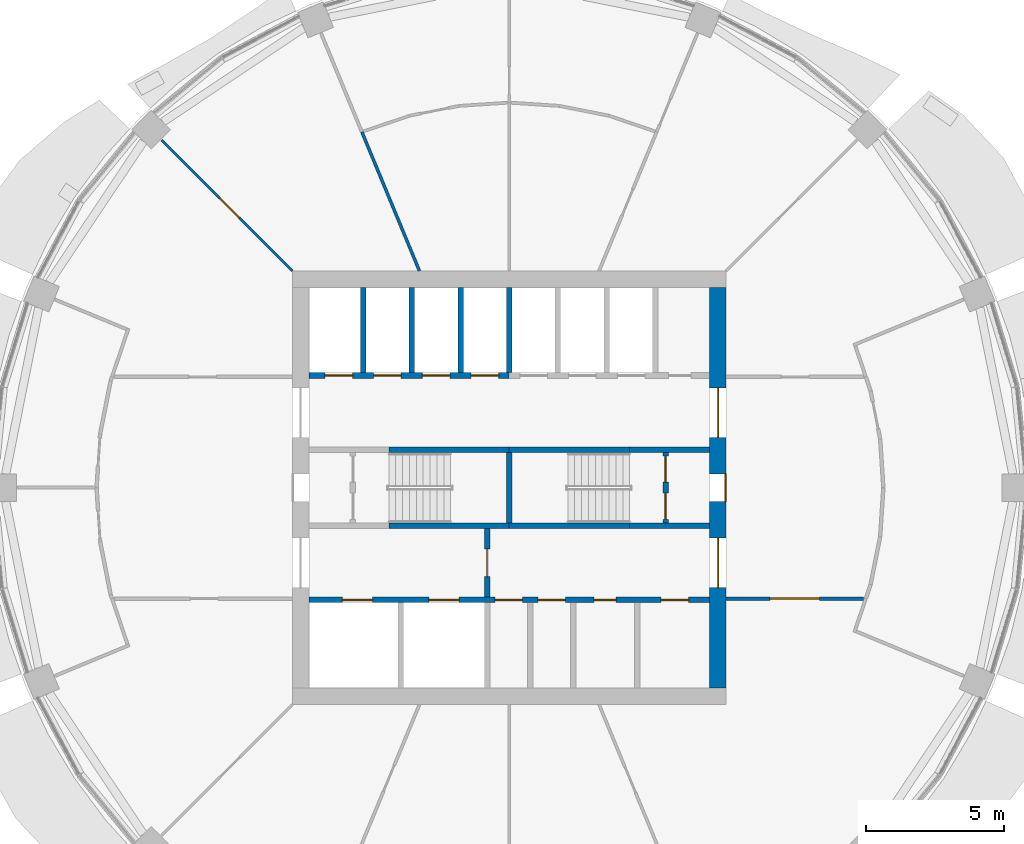
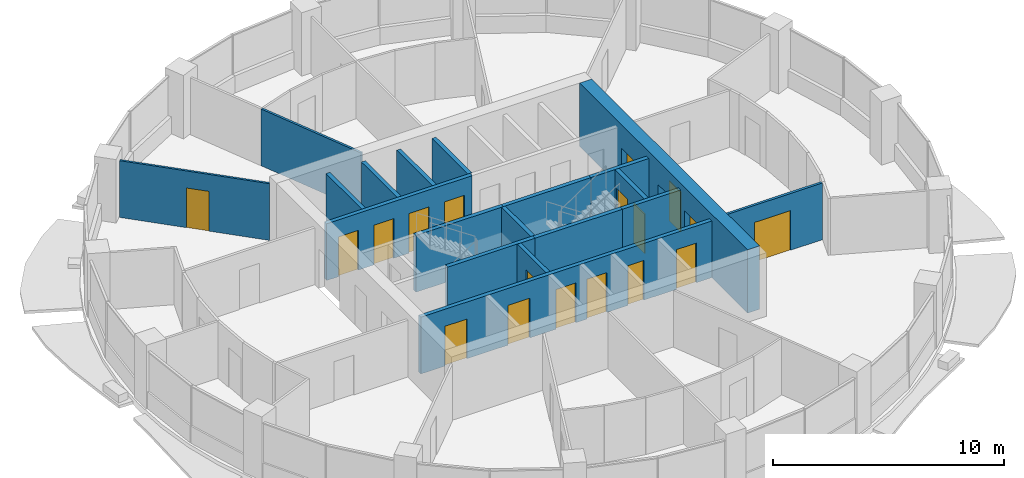
# One storey, part 9 of 15: 19 walls, 18 doors, 18 openings.
"""IFC4 building model written with IfcOpenShell, lengths in metres."""

import ifcopenshell
import ifcopenshell.guid

model = None  # the IFC model being written
_history = None  # IfcOwnerHistory: only IFC2X3 demands one
_inside = {}  # id of a spatial element -> (the spatial element, [elements in it])
_under = {}  # id of a project, library or spatial element -> (it, [spatial elements below it])
_declared = {}  # id of a project -> (the project, [libraries it declares])
_typed = {}  # id of a type object -> (the type object, [elements of that type])
_made_of = {}  # id of a material, layer set ... -> (it, [elements and type objects made of it])


def new_model(schema):
    """Start an empty IFC model of exactly this schema.

    Asked for "IFC4X3", IfcOpenShell would pick the latest addendum, in which some entities
    have other attributes; the version numbers below select the first issue.
    IFC2X3 requires an IfcOwnerHistory on every rooted entity: one is made here for all.
    """
    global model, _history
    if schema == "IFC4X3":
        model = ifcopenshell.file(schema_version=(4, 3, 0, 0))
    else:
        model = ifcopenshell.file(schema=schema)
    _inside.clear()
    _under.clear()
    _declared.clear()
    _typed.clear()
    _made_of.clear()
    _history = None
    if model.schema == "IFC2X3":
        org = make("IfcOrganization", Name="unknown")
        user = make(
            "IfcPersonAndOrganization",
            ThePerson=make("IfcPerson", FamilyName="unknown"),
            TheOrganization=org,
        )
        app = make(
            "IfcApplication",
            ApplicationDeveloper=org,
            Version="unknown",
            ApplicationFullName="unknown",
            ApplicationIdentifier="unknown",
        )
        _history = make(
            "IfcOwnerHistory",
            OwningUser=user,
            OwningApplication=app,
            ChangeAction="ADDED",
            CreationDate=0,
        )
    return model


def make(cls, **values):
    """One entity of the class cls with the attributes given. An attribute that is None is left unset."""
    return model.create_entity(
        cls, **{name: value for name, value in values.items() if value is not None}
    )


def rooted(cls, **values):
    """An entity with a GlobalId (a new one), such as an element, a storey or a relation."""
    return make(cls, GlobalId=ifcopenshell.guid.new(), OwnerHistory=_history, **values)


def si_unit(unit_type, name, prefix=None):
    """IfcSIUnit, for example si_unit("LENGTHUNIT", "METRE", prefix="MILLI")."""
    return make("IfcSIUnit", UnitType=unit_type, Prefix=prefix, Name=name)


def assignment(units):
    """IfcUnitAssignment: the units of a project."""
    return None if units is None else make("IfcUnitAssignment", Units=units)


def point(xyz):
    """IfcCartesianPoint."""
    return None if xyz is None else make("IfcCartesianPoint", Coordinates=xyz)


def direction(xyz):
    """IfcDirection."""
    return None if xyz is None else make("IfcDirection", DirectionRatios=xyz)


def frame(location, z_axis=None, x_axis=None):
    """IfcAxis2Placement3D, a coordinate frame: its origin and axes. An axis left out is left unset."""
    return make(
        "IfcAxis2Placement3D",
        Location=point(location),
        Axis=direction(z_axis),
        RefDirection=direction(x_axis),
    )


def frame_2d(location, x_axis=None):
    """IfcAxis2Placement2D, a coordinate frame in the plane: its origin and x axis."""
    return make(
        "IfcAxis2Placement2D", Location=point(location), RefDirection=direction(x_axis)
    )


def origin():
    """The frame at (0, 0, 0) with its axes left unset."""
    return frame((0.0, 0.0, 0.0))


def place(relative_to, where):
    """IfcLocalPlacement: puts the frame where relative to a parent placement (None: the world)."""
    return make(
        "IfcLocalPlacement", PlacementRelTo=relative_to, RelativePlacement=where
    )


def context(
    kind, dimensions, precision=None, world=None, true_north=None, identifier=None
):
    """IfcGeometricRepresentationContext, for example the 3D "Model" context."""
    return make(
        "IfcGeometricRepresentationContext",
        ContextIdentifier=identifier,
        ContextType=kind,
        CoordinateSpaceDimension=dimensions,
        Precision=precision,
        WorldCoordinateSystem=world,
        TrueNorth=true_north,
    )


def subcontext(parent, identifier, kind, view, scale=None):
    """IfcGeometricRepresentationSubContext, for example "Body" below "Model"."""
    return make(
        "IfcGeometricRepresentationSubContext",
        ContextIdentifier=identifier,
        ContextType=kind,
        ParentContext=parent,
        TargetScale=scale,
        TargetView=view,
    )


def project(units=None, contexts=None):
    """IfcProject with its units and contexts."""
    return rooted(
        "IfcProject",
        Name="project",
        RepresentationContexts=contexts,
        UnitsInContext=assignment(units),
    )


def spatial(cls, under=None, at=None, **own):
    """A site, building, storey or space (cls), placed at a placement, below another one or the project."""
    s = rooted(cls, ObjectPlacement=at, **own)
    if under is not None:
        _under.setdefault(under.id(), (under, []))[1].append(s)
    return s


def profile(cls, at=None, kind="AREA", **sizes):
    """A parametric profile (cls). Its sizes go by their IFC names, for example OverallWidth=200.0."""
    return make(cls, ProfileType=kind, Position=at, **sizes)


def rectangle(**sizes):
    """IfcRectangleProfileDef."""
    return profile("IfcRectangleProfileDef", **sizes)


def extrude(swept, where, along, depth):
    """IfcExtrudedAreaSolid: the profile swept, set in the frame where, extruded along a direction by depth."""
    return make(
        "IfcExtrudedAreaSolid",
        SweptArea=swept,
        Position=where,
        ExtrudedDirection=direction(along),
        Depth=depth,
    )


def shape(context_of_items, identifier, shape_type, items):
    """IfcShapeRepresentation: the items that make up one representation, for example the "Body"."""
    return make(
        "IfcShapeRepresentation",
        ContextOfItems=context_of_items,
        RepresentationIdentifier=identifier,
        RepresentationType=shape_type,
        Items=items,
    )


def material(Name=None, Category=None):
    """IfcMaterial."""
    return make("IfcMaterial", Name=Name, Category=Category)


def layer(
    of_material, thickness, ventilated=None, Name=None, Category=None, Priority=None
):
    """IfcMaterialLayer: one layer of a wall or slab, of a material (None: an air gap)."""
    return make(
        "IfcMaterialLayer",
        Material=of_material,
        LayerThickness=thickness,
        IsVentilated=ventilated,
        Name=Name,
        Category=Category,
        Priority=Priority,
    )


def layer_set(layers, Name=None):
    """IfcMaterialLayerSet."""
    return make("IfcMaterialLayerSet", MaterialLayers=layers, LayerSetName=Name)


def made_of(thing, what):
    """Note that an element or type object is made of a material, layer set ...; save() writes the relation."""
    if what is not None:
        _made_of.setdefault(what.id(), (what, []))[1].append(thing)
    return thing


def type_object(cls, material=None, **own):
    """A type object (cls), such as IfcWallType, which elements share."""
    return made_of(rooted(cls, **own), material)


def element(
    cls,
    number,
    at=None,
    inside=None,
    cuts=None,
    type_object=None,
    material=None,
    context=None,
    identifier="Body",
    shape_type=None,
    held_by="IfcProductDefinitionShape",
    body=None,
    shapes=None,
    **own,
):
    """One element of the class cls, such as IfcWall. Its Tag is "e" and its number.

    at: its placement. inside: the storey or other place that contains it. cuts: it is an
    opening in that element (IfcRelVoidsElement). A single representation is given by context,
    identifier, shape_type and body (its items); several are given by shapes. held_by: the class
    of the entity that holds the representations. save() writes the other relations.
    """
    e = rooted(cls, Tag="e%d" % number, ObjectPlacement=at, **own)
    if body is not None:
        shapes = [shape(context, identifier, shape_type, body)]
    if shapes is not None:
        e.Representation = make(held_by, Representations=shapes)
    if inside is not None:
        _inside.setdefault(inside.id(), (inside, []))[1].append(e)
    if cuts is not None:
        rooted(
            "IfcRelVoidsElement", RelatingBuildingElement=cuts, RelatedOpeningElement=e
        )
    if type_object is not None:
        _typed.setdefault(type_object.id(), (type_object, []))[1].append(e)
    return made_of(e, material)


def fill(opening, filler):
    """IfcRelFillsElement: the door or window that sits in an opening."""
    return rooted(
        "IfcRelFillsElement",
        RelatingOpeningElement=opening,
        RelatedBuildingElement=filler,
    )


def aggregate(whole, parts):
    """IfcRelAggregates: a whole, such as a stair, and the parts it consists of."""
    return rooted("IfcRelAggregates", RelatingObject=whole, RelatedObjects=parts)


def save(model, path):
    """Write the relations noted so far, then the file.

    IfcRelAggregates (storeys below a building ...), IfcRelContainedInSpatialStructure (elements
    in a storey), IfcRelDefinesByType, IfcRelAssociatesMaterial and IfcRelDeclares: one each for
    every whole, place, type object, material and project.
    """
    for whole, parts in _under.values():
        aggregate(whole, parts)
    for where, things in _inside.values():
        rooted(
            "IfcRelContainedInSpatialStructure",
            RelatedElements=things,
            RelatingStructure=where,
        )
    for kind, things in _typed.values():
        rooted("IfcRelDefinesByType", RelatedObjects=things, RelatingType=kind)
    for what, things in _made_of.values():
        rooted("IfcRelAssociatesMaterial", RelatedObjects=things, RelatingMaterial=what)
    for by, libraries in _declared.values():
        rooted("IfcRelDeclares", RelatingContext=by, RelatedDefinitions=libraries)
    model.write(path)


model = new_model("IFC4")

# Units and contexts
model_context = context("Model", 3, precision=1e-05, world=origin(), true_north=direction((0.0, 1.0)))
body_context = subcontext(model_context, "Body", "Model", "MODEL_VIEW")
ifc_project = project(units=[si_unit("LENGTHUNIT", "METRE"), si_unit("AREAUNIT", "SQUARE_METRE"), si_unit("VOLUMEUNIT", "CUBIC_METRE"), si_unit("PLANEANGLEUNIT", "RADIAN"), si_unit("MASSUNIT", "GRAM", prefix="KILO")], contexts=[model_context])

# Site, building, storey
site_placement = place(None, origin())
site = spatial("IfcSite", under=ifc_project, at=site_placement, CompositionType="ELEMENT")
building_placement = place(site_placement, origin())
building = spatial("IfcBuilding", under=site, at=building_placement, Name="Polderwave Tower", CompositionType="ELEMENT")
storey_placement = place(building_placement, frame((0.0, 0.0, 131.0)))
storey = spatial("IfcBuildingStorey", under=building, at=storey_placement, Name="L34", CompositionType="ELEMENT", Elevation=131.0)

# Wall, openings, doors
ifc_material_1 = material(Name="Concrete C60/75", Category="concrete")
ifc_layer_1 = layer(ifc_material_1, 0.60009765625)
ifc_layer_set_1 = layer_set([ifc_layer_1], Name="CORE WALL 600 C60/75")
wall_type_1 = type_object("IfcWallType", Name="CORE WALL 600 C60/75", PredefinedType="SHEAR", material=ifc_layer_set_1)
wall_1_placement = place(storey_placement, frame((7.573974609375, -7.27392578125, 0.0), z_axis=(0.0, 0.0, 1.0), x_axis=(0.0, 1.0, 0.0)))
wall_1 = element("IfcWall", 1, at=wall_1_placement, inside=storey, type_object=wall_type_1, Name="ST-CORE-L34-E", PredefinedType="SHEAR", context=body_context, shape_type="SweptSolid", body=[
    extrude(rectangle(XDim=14.5478515625, YDim=0.60009765625, at=frame_2d((7.27392578125, 0.0))), origin(), (0.0, 0.0, 1.0), 3.35009765625),
])
opening_1_placement = place(wall_1_placement, frame((6.77392578125, 0.0, 0.0)))
opening_1 = element("IfcOpeningElement", 2, at=opening_1_placement, cuts=wall_1, Name="Opening L34-D23", PredefinedType="OPENING", context=body_context, shape_type="SweptSolid", body=[
    extrude(rectangle(XDim=1.0, YDim=2.10009765625, at=frame_2d((0.5, 1.050048828125))), frame((0.0, 0.31005859375, 0.0), z_axis=(0.0, -1.0, 0.0), x_axis=(1.0, 0.0, 0.0)), (0.0, 0.0, 1.0), 0.6201171875),
])
opening_2_placement = place(wall_1_placement, frame((3.6494140625, 0.0, 0.0)))
opening_2 = element("IfcOpeningElement", 3, at=opening_2_placement, cuts=wall_1, Name="Opening L34-D24", PredefinedType="OPENING", context=body_context, shape_type="SweptSolid", body=[
    extrude(rectangle(XDim=1.800048828125, YDim=2.10009765625, at=frame_2d((0.89990234375, 1.050048828125))), frame((0.0, 0.31005859375, 0.0), z_axis=(0.0, -1.0, 0.0), x_axis=(1.0, 0.0, 0.0)), (0.0, 0.0, 1.0), 0.6201171875),
])
opening_3_placement = place(wall_1_placement, frame((9.098388671875, 0.0, 0.0)))
opening_3 = element("IfcOpeningElement", 4, at=opening_3_placement, cuts=wall_1, Name="Opening L34-D25", PredefinedType="OPENING", context=body_context, shape_type="SweptSolid", body=[
    extrude(rectangle(XDim=1.800048828125, YDim=2.10009765625, at=frame_2d((0.89990234375, 1.050048828125))), frame((0.0, 0.31005859375, 0.0), z_axis=(0.0, -1.0, 0.0), x_axis=(1.0, 0.0, 0.0)), (0.0, 0.0, 1.0), 0.6201171875),
])
ifc_material_2 = material(Name="Steel fire door", Category="steel")
door_type_1 = type_object("IfcDoorType", Name="Lobby entry door pair 1800", OperationType="DOUBLE_DOOR_SINGLE_SWING", PredefinedType="DOOR", material=ifc_material_2)
door_1_placement = place(opening_2_placement, frame((1.800048828125, 0.0, 0.0), z_axis=(0.0, 0.0, 1.0), x_axis=(-1.0, 0.0, 0.0)))
door_1 = element("IfcDoor", 5, at=door_1_placement, inside=storey, type_object=door_type_1, Name="South lobby entry door", OperationType="DOUBLE_DOOR_SINGLE_SWING", OverallHeight=2.10009765625, OverallWidth=1.800048828125, PredefinedType="DOOR", context=body_context, shape_type="SweptSolid", body=[
    extrude(rectangle(XDim=1.800048828125, YDim=2.10009765625, at=frame_2d((0.89990234375, 1.050048828125))), frame((0.0, 0.02490234375, 0.0), z_axis=(0.0, -1.0, 0.0), x_axis=(1.0, 0.0, 0.0)), (0.0, 0.0, 1.0), 0.050048828125),
])
fill(opening_2, door_1)
door_2_placement = place(opening_3_placement, frame((1.800048828125, 0.0, 0.0), z_axis=(0.0, 0.0, 1.0), x_axis=(-1.0, 0.0, 0.0)))
door_2 = element("IfcDoor", 6, at=door_2_placement, inside=storey, type_object=door_type_1, Name="North lobby entry door", OperationType="DOUBLE_DOOR_SINGLE_SWING", OverallHeight=2.10009765625, OverallWidth=1.800048828125, PredefinedType="DOOR", context=body_context, shape_type="SweptSolid", body=[
    extrude(rectangle(XDim=1.800048828125, YDim=2.10009765625, at=frame_2d((0.89990234375, 1.050048828125))), frame((0.0, 0.02490234375, 0.0), z_axis=(0.0, -1.0, 0.0), x_axis=(1.0, 0.0, 0.0)), (0.0, 0.0, 1.0), 0.050048828125),
])
fill(opening_3, door_2)
door_type_2 = type_object("IfcDoorType", Name="Stair door 1000", OperationType="NOTDEFINED", PredefinedType="DOOR", material=ifc_material_2)
door_3_placement = place(opening_1_placement, frame((1.0, 0.0, 0.0), z_axis=(0.0, 0.0, 1.0), x_axis=(-1.0, 0.0, 0.0)))
door_3 = element("IfcDoor", 7, at=door_3_placement, inside=storey, type_object=door_type_2, Name="Stair B entry door", OperationType="SINGLE_SWING_LEFT", OverallHeight=2.10009765625, OverallWidth=1.0, PredefinedType="DOOR", context=body_context, shape_type="SweptSolid", body=[
    extrude(rectangle(XDim=1.0, YDim=2.10009765625, at=frame_2d((0.5, 1.050048828125))), frame((0.0, 0.2998046875, 0.0), z_axis=(0.0, -1.0, 0.0), x_axis=(1.0, 0.0, 0.0)), (0.0, 0.0, 1.0), 0.050048828125),
])
fill(opening_1, door_3)

# Wall, opening, door
ifc_material_3 = material(Name="Gypsum board partition")
ifc_layer_2 = layer(ifc_material_3, 0.199951171875)
ifc_layer_set_2 = layer_set([ifc_layer_2], Name="Core room partition 200")
wall_type_2 = type_object("IfcWallType", Name="Core room partition 200", PredefinedType="PARTITIONING", material=ifc_layer_set_2)
wall_2_placement = place(storey_placement, frame((-0.800048828125, -3.97412109375, 0.0), z_axis=(0.0, 0.0, 1.0), x_axis=(0.0, 1.0, 0.0)))
wall_2 = element("IfcWall", 8, at=wall_2_placement, inside=storey, type_object=wall_type_2, Name="L34 fire-fighting lobby wall", PredefinedType="PARTITIONING", context=body_context, shape_type="SweptSolid", body=[
    extrude(rectangle(XDim=2.4990234375, YDim=0.199951171875, at=frame_2d((1.24951171875, 0.0))), origin(), (0.0, 0.0, 1.0), 3.0),
])
opening_4_placement = place(wall_2_placement, frame((0.74951171875, 0.0, 0.0)))
opening_4 = element("IfcOpeningElement", 9, at=opening_4_placement, cuts=wall_2, Name="Opening L34-D14", PredefinedType="OPENING", context=body_context, shape_type="SweptSolid", body=[
    extrude(rectangle(XDim=1.0, YDim=2.10009765625, at=frame_2d((0.5, 1.050048828125))), frame((0.0, 0.10986328125, 0.0), z_axis=(0.0, -1.0, 0.0), x_axis=(1.0, 0.0, 0.0)), (0.0, 0.0, 1.0), 0.219970703125),
])
door_type_3 = type_object("IfcDoorType", Name="Lobby fire door 1000", OperationType="NOTDEFINED", PredefinedType="DOOR", material=ifc_material_2)
door_4_placement = place(opening_4_placement, frame((1.0, 0.0, 0.0), z_axis=(0.0, 0.0, 1.0), x_axis=(-1.0, 0.0, 0.0)))
door_4 = element("IfcDoor", 10, at=door_4_placement, inside=storey, type_object=door_type_3, Name="Fire-fighting lobby door", OperationType="SINGLE_SWING_LEFT", OverallHeight=2.10009765625, OverallWidth=1.0, PredefinedType="DOOR", context=body_context, shape_type="SweptSolid", body=[
    extrude(rectangle(XDim=1.0, YDim=2.10009765625, at=frame_2d((0.5, 1.050048828125))), frame((0.0, 0.02490234375, 0.0), z_axis=(0.0, -1.0, 0.0), x_axis=(1.0, 0.0, 0.0)), (0.0, 0.0, 1.0), 0.050048828125),
])
fill(opening_4, door_4)

# Wall, openings, doors
wall_3_placement = place(storey_placement, frame((5.674072265625, -1.27490234375, 0.0), z_axis=(0.0, 0.0, 1.0), x_axis=(0.0, 1.0, 0.0)))
wall_3 = element("IfcWall", 11, at=wall_3_placement, inside=storey, type_object=wall_type_2, Name="L34 smoke lobby wall B", PredefinedType="PARTITIONING", context=body_context, shape_type="SweptSolid", body=[
    extrude(rectangle(XDim=2.5498046875, YDim=0.199951171875, at=frame_2d((1.27490234375, 0.0))), origin(), (0.0, 0.0, 1.0), 3.0),
])
opening_5_placement = place(wall_3_placement, frame((0.125, 0.0, 0.0)))
opening_5 = element("IfcOpeningElement", 12, at=opening_5_placement, cuts=wall_3, Name="Opening L34-D12", PredefinedType="OPENING", context=body_context, shape_type="SweptSolid", body=[
    extrude(rectangle(XDim=0.949951171875, YDim=2.10009765625, at=frame_2d((0.47509765625, 1.050048828125))), frame((0.0, 0.10986328125, 0.0), z_axis=(0.0, -1.0, 0.0), x_axis=(1.0, 0.0, 0.0)), (0.0, 0.0, 1.0), 0.219970703125),
])
opening_6_placement = place(wall_3_placement, frame((1.47509765625, 0.0, 0.0)))
opening_6 = element("IfcOpeningElement", 13, at=opening_6_placement, cuts=wall_3, Name="Opening L34-D13", PredefinedType="OPENING", context=body_context, shape_type="SweptSolid", body=[
    extrude(rectangle(XDim=0.949951171875, YDim=2.10009765625, at=frame_2d((0.47509765625, 1.050048828125))), frame((0.0, 0.10986328125, 0.0), z_axis=(0.0, -1.0, 0.0), x_axis=(1.0, 0.0, 0.0)), (0.0, 0.0, 1.0), 0.219970703125),
])
door_type_4 = type_object("IfcDoorType", Name="Smoke lobby door 950", OperationType="NOTDEFINED", PredefinedType="DOOR", material=ifc_material_2)
door_5_placement = place(opening_5_placement, frame((0.949951171875, 0.0, 0.0), z_axis=(0.0, 0.0, 1.0), x_axis=(-1.0, 0.0, 0.0)))
door_5 = element("IfcDoor", 14, at=door_5_placement, inside=storey, type_object=door_type_4, Name="Stair B smoke lobby inner door", OperationType="SINGLE_SWING_RIGHT", OverallHeight=2.10009765625, OverallWidth=0.949951171875, PredefinedType="DOOR", context=body_context, shape_type="SweptSolid", body=[
    extrude(rectangle(XDim=0.949951171875, YDim=2.10009765625, at=frame_2d((0.47509765625, 1.050048828125))), frame((0.0, 0.02490234375, 0.0), z_axis=(0.0, -1.0, 0.0), x_axis=(1.0, 0.0, 0.0)), (0.0, 0.0, 1.0), 0.050048828125),
])
fill(opening_5, door_5)
door_6_placement = place(opening_6_placement, frame((0.949951171875, 0.0, 0.0), z_axis=(0.0, 0.0, 1.0), x_axis=(-1.0, 0.0, 0.0)))
door_6 = element("IfcDoor", 15, at=door_6_placement, inside=storey, type_object=door_type_4, Name="Stair B smoke lobby inner door", OperationType="SINGLE_SWING_LEFT", OverallHeight=2.10009765625, OverallWidth=0.949951171875, PredefinedType="DOOR", context=body_context, shape_type="SweptSolid", body=[
    extrude(rectangle(XDim=0.949951171875, YDim=2.10009765625, at=frame_2d((0.47509765625, 1.050048828125))), frame((0.0, 0.02490234375, 0.0), z_axis=(0.0, -1.0, 0.0), x_axis=(1.0, 0.0, 0.0)), (0.0, 0.0, 1.0), 0.050048828125),
])
fill(opening_6, door_6)

ifc_material_4 = material(Name="Concrete C50/60", Category="concrete")
ifc_layer_3 = layer(ifc_material_4, 0.199951171875)
ifc_layer_set_3 = layer_set([ifc_layer_3], Name="Core web wall 200")
wall_type_3 = type_object("IfcWallType", Name="Core web wall 200", PredefinedType="SHEAR", material=ifc_layer_set_3)
wall_4_placement = place(storey_placement, frame((-7.27392578125, -4.073974609375, 0.0), z_axis=(0.0, 0.0, 1.0), x_axis=(1.0, 0.0, 0.0)))
wall_4 = element("IfcWall", 16, at=wall_4_placement, inside=storey, type_object=wall_type_3, Name="L34 south front wall", PredefinedType="SHEAR", context=body_context, shape_type="SweptSolid", body=[
    extrude(rectangle(XDim=14.5478515625, YDim=0.199951171875, at=frame_2d((7.27392578125, 0.0))), origin(), (0.0, 0.0, 1.0), 3.0),
])
opening_7_placement = place(wall_4_placement, frame((1.218505859375, 0.0, 0.0)))
opening_7 = element("IfcOpeningElement", 17, at=opening_7_placement, cuts=wall_4, Name="Opening L34-D01", PredefinedType="OPENING", context=body_context, shape_type="SweptSolid", body=[
    extrude(rectangle(XDim=1.10009765625, YDim=2.10009765625, at=frame_2d((0.550048828125, 1.050048828125))), frame((0.0, 0.10986328125, 0.0), z_axis=(0.0, -1.0, 0.0), x_axis=(1.0, 0.0, 0.0)), (0.0, 0.0, 1.0), 0.219970703125),
])
opening_8_placement = place(wall_4_placement, frame((4.35546875, 0.0, 0.0)))
opening_8 = element("IfcOpeningElement", 18, at=opening_8_placement, cuts=wall_4, Name="Opening L34-D02", PredefinedType="OPENING", context=body_context, shape_type="SweptSolid", body=[
    extrude(rectangle(XDim=1.10009765625, YDim=2.10009765625, at=frame_2d((0.550048828125, 1.050048828125))), frame((0.0, 0.10986328125, 0.0), z_axis=(0.0, -1.0, 0.0), x_axis=(1.0, 0.0, 0.0)), (0.0, 0.0, 1.0), 0.219970703125),
])
opening_9_placement = place(wall_4_placement, frame((6.753173828125, 0.0, 0.0)))
opening_9 = element("IfcOpeningElement", 19, at=opening_9_placement, cuts=wall_4, Name="Opening L34-D15", PredefinedType="OPENING", context=body_context, shape_type="SweptSolid", body=[
    extrude(rectangle(XDim=1.0, YDim=2.10009765625, at=frame_2d((0.5, 1.050048828125))), frame((0.0, 0.10986328125, 0.0), z_axis=(0.0, -1.0, 0.0), x_axis=(1.0, 0.0, 0.0)), (0.0, 0.0, 1.0), 0.219970703125),
])
opening_10_placement = place(wall_4_placement, frame((8.3115234375, 0.0, 0.0)))
opening_10 = element("IfcOpeningElement", 20, at=opening_10_placement, cuts=wall_4, Name="Opening L34-D16", PredefinedType="OPENING", context=body_context, shape_type="SweptSolid", body=[
    extrude(rectangle(XDim=1.0, YDim=2.10009765625, at=frame_2d((0.5, 1.050048828125))), frame((0.0, 0.10986328125, 0.0), z_axis=(0.0, -1.0, 0.0), x_axis=(1.0, 0.0, 0.0)), (0.0, 0.0, 1.0), 0.219970703125),
])
opening_11_placement = place(wall_4_placement, frame((10.35791015625, 0.0, 0.0)))
opening_11 = element("IfcOpeningElement", 21, at=opening_11_placement, cuts=wall_4, Name="Opening L34-D17", PredefinedType="OPENING", context=body_context, shape_type="SweptSolid", body=[
    extrude(rectangle(XDim=0.800048828125, YDim=2.10009765625, at=frame_2d((0.39990234375, 1.050048828125))), frame((0.0, 0.10986328125, 0.0), z_axis=(0.0, -1.0, 0.0), x_axis=(1.0, 0.0, 0.0)), (0.0, 0.0, 1.0), 0.219970703125),
])
opening_12_placement = place(wall_4_placement, frame((12.78662109375, 0.0, 0.0)))
opening_12 = element("IfcOpeningElement", 22, at=opening_12_placement, cuts=wall_4, Name="Opening L34-D18", PredefinedType="OPENING", context=body_context, shape_type="SweptSolid", body=[
    extrude(rectangle(XDim=1.0, YDim=2.10009765625, at=frame_2d((0.5, 1.050048828125))), frame((0.0, 0.10986328125, 0.0), z_axis=(0.0, -1.0, 0.0), x_axis=(1.0, 0.0, 0.0)), (0.0, 0.0, 1.0), 0.219970703125),
])
ifc_material_5 = material(Name="Timber door leaf", Category="wood")
door_type_5 = type_object("IfcDoorType", Name="Accessible WC door 1000", OperationType="NOTDEFINED", PredefinedType="DOOR", material=ifc_material_5)
door_7_placement = place(opening_9_placement, frame((1.0, 0.0, 0.0), z_axis=(0.0, 0.0, 1.0), x_axis=(-1.0, 0.0, 0.0)))
door_7 = element("IfcDoor", 23, at=door_7_placement, inside=storey, type_object=door_type_5, Name="Accessible WC door", OperationType="SINGLE_SWING_RIGHT", OverallHeight=2.10009765625, OverallWidth=1.0, PredefinedType="DOOR", context=body_context, shape_type="SweptSolid", body=[
    extrude(rectangle(XDim=1.0, YDim=2.10009765625, at=frame_2d((0.5, 1.050048828125))), frame((0.0, 0.02490234375, 0.0), z_axis=(0.0, -1.0, 0.0), x_axis=(1.0, 0.0, 0.0)), (0.0, 0.0, 1.0), 0.050048828125),
])
fill(opening_9, door_7)
ifc_material_6 = material(Name="Stainless steel", Category="steel")
door_type_6 = type_object("IfcDoorType", Name="Fire-fighting lift landing door 1100", OperationType="DOUBLE_DOOR_SLIDING", PredefinedType="DOOR", material=ifc_material_6)
door_8_placement = place(opening_7_placement, origin())
door_8 = element("IfcDoor", 24, at=door_8_placement, inside=storey, type_object=door_type_6, Name="Fire-fighting lift FF1 landing door", OperationType="DOUBLE_DOOR_SLIDING", OverallHeight=2.10009765625, OverallWidth=1.10009765625, PredefinedType="DOOR", context=body_context, shape_type="SweptSolid", body=[
    extrude(rectangle(XDim=1.10009765625, YDim=2.10009765625, at=frame_2d((0.550048828125, 1.050048828125))), frame((0.0, 0.02490234375, 0.0), z_axis=(0.0, -1.0, 0.0), x_axis=(1.0, 0.0, 0.0)), (0.0, 0.0, 1.0), 0.050048828125),
])
fill(opening_7, door_8)
door_9_placement = place(opening_8_placement, origin())
door_9 = element("IfcDoor", 25, at=door_9_placement, inside=storey, type_object=door_type_6, Name="Fire-fighting lift FF2 landing door", OperationType="DOUBLE_DOOR_SLIDING", OverallHeight=2.10009765625, OverallWidth=1.10009765625, PredefinedType="DOOR", context=body_context, shape_type="SweptSolid", body=[
    extrude(rectangle(XDim=1.10009765625, YDim=2.10009765625, at=frame_2d((0.550048828125, 1.050048828125))), frame((0.0, 0.02490234375, 0.0), z_axis=(0.0, -1.0, 0.0), x_axis=(1.0, 0.0, 0.0)), (0.0, 0.0, 1.0), 0.050048828125),
])
fill(opening_8, door_9)
door_type_7 = type_object("IfcDoorType", Name="Riser door 800", OperationType="NOTDEFINED", PredefinedType="DOOR", material=ifc_material_2)
door_10_placement = place(opening_11_placement, origin())
door_10 = element("IfcDoor", 26, at=door_10_placement, inside=storey, type_object=door_type_7, Name="Electrical room door", OperationType="SINGLE_SWING_RIGHT", OverallHeight=2.10009765625, OverallWidth=0.800048828125, PredefinedType="DOOR", context=body_context, shape_type="SweptSolid", body=[
    extrude(rectangle(XDim=0.800048828125, YDim=2.10009765625, at=frame_2d((0.39990234375, 1.050048828125))), frame((0.0, 0.02490234375, 0.0), z_axis=(0.0, -1.0, 0.0), x_axis=(1.0, 0.0, 0.0)), (0.0, 0.0, 1.0), 0.050048828125),
])
fill(opening_11, door_10)
door_type_8 = type_object("IfcDoorType", Name="Room door 1000", OperationType="NOTDEFINED", PredefinedType="DOOR", material=ifc_material_5)
door_11_placement = place(opening_10_placement, frame((1.0, 0.0, 0.0), z_axis=(0.0, 0.0, 1.0), x_axis=(-1.0, 0.0, 0.0)))
door_11 = element("IfcDoor", 27, at=door_11_placement, inside=storey, type_object=door_type_8, Name="Staff WC door", OperationType="SINGLE_SWING_LEFT", OverallHeight=2.10009765625, OverallWidth=1.0, PredefinedType="DOOR", context=body_context, shape_type="SweptSolid", body=[
    extrude(rectangle(XDim=1.0, YDim=2.10009765625, at=frame_2d((0.5, 1.050048828125))), frame((0.0, 0.02490234375, 0.0), z_axis=(0.0, -1.0, 0.0), x_axis=(1.0, 0.0, 0.0)), (0.0, 0.0, 1.0), 0.050048828125),
])
fill(opening_10, door_11)
door_12_placement = place(opening_12_placement, frame((1.0, 0.0, 0.0), z_axis=(0.0, 0.0, 1.0), x_axis=(-1.0, 0.0, 0.0)))
door_12 = element("IfcDoor", 28, at=door_12_placement, inside=storey, type_object=door_type_8, Name="Store door", OperationType="SINGLE_SWING_LEFT", OverallHeight=2.10009765625, OverallWidth=1.0, PredefinedType="DOOR", context=body_context, shape_type="SweptSolid", body=[
    extrude(rectangle(XDim=1.0, YDim=2.10009765625, at=frame_2d((0.5, 1.050048828125))), frame((0.0, 0.02490234375, 0.0), z_axis=(0.0, -1.0, 0.0), x_axis=(1.0, 0.0, 0.0)), (0.0, 0.0, 1.0), 0.050048828125),
])
fill(opening_12, door_12)

wall_5_placement = place(storey_placement, frame((-7.27392578125, 4.073974609375, 0.0), z_axis=(0.0, 0.0, 1.0), x_axis=(1.0, 0.0, 0.0)))
wall_5 = element("IfcWall", 29, at=wall_5_placement, inside=storey, type_object=wall_type_3, Name="L34 north front wall 1", PredefinedType="SHEAR", context=body_context, shape_type="SweptSolid", body=[
    extrude(rectangle(XDim=7.27392578125, YDim=0.199951171875, at=frame_2d((3.636962890625, 0.0))), origin(), (0.0, 0.0, 1.0), 3.0),
])
opening_13_placement = place(wall_5_placement, frame((0.584228515625, 0.0, 0.0)))
opening_13 = element("IfcOpeningElement", 30, at=opening_13_placement, cuts=wall_5, Name="Opening L34-D03", PredefinedType="OPENING", context=body_context, shape_type="SweptSolid", body=[
    extrude(rectangle(XDim=1.0, YDim=2.10009765625, at=frame_2d((0.5, 1.050048828125))), frame((0.0, 0.10986328125, 0.0), z_axis=(0.0, -1.0, 0.0), x_axis=(1.0, 0.0, 0.0)), (0.0, 0.0, 1.0), 0.219970703125),
])
opening_14_placement = place(wall_5_placement, frame((2.352783203125, 0.0, 0.0)))
opening_14 = element("IfcOpeningElement", 31, at=opening_14_placement, cuts=wall_5, Name="Opening L34-D04", PredefinedType="OPENING", context=body_context, shape_type="SweptSolid", body=[
    extrude(rectangle(XDim=1.0, YDim=2.10009765625, at=frame_2d((0.5, 1.050048828125))), frame((0.0, 0.10986328125, 0.0), z_axis=(0.0, -1.0, 0.0), x_axis=(1.0, 0.0, 0.0)), (0.0, 0.0, 1.0), 0.219970703125),
])
opening_15_placement = place(wall_5_placement, frame((4.12109375, 0.0, 0.0)))
opening_15 = element("IfcOpeningElement", 32, at=opening_15_placement, cuts=wall_5, Name="Opening L34-D05", PredefinedType="OPENING", context=body_context, shape_type="SweptSolid", body=[
    extrude(rectangle(XDim=1.0, YDim=2.10009765625, at=frame_2d((0.5, 1.050048828125))), frame((0.0, 0.10986328125, 0.0), z_axis=(0.0, -1.0, 0.0), x_axis=(1.0, 0.0, 0.0)), (0.0, 0.0, 1.0), 0.219970703125),
])
opening_16_placement = place(wall_5_placement, frame((5.889892578125, 0.0, 0.0)))
opening_16 = element("IfcOpeningElement", 33, at=opening_16_placement, cuts=wall_5, Name="Opening L34-D06", PredefinedType="OPENING", context=body_context, shape_type="SweptSolid", body=[
    extrude(rectangle(XDim=1.0, YDim=2.10009765625, at=frame_2d((0.5, 1.050048828125))), frame((0.0, 0.10986328125, 0.0), z_axis=(0.0, -1.0, 0.0), x_axis=(1.0, 0.0, 0.0)), (0.0, 0.0, 1.0), 0.219970703125),
])
door_type_9 = type_object("IfcDoorType", Name="Lift landing door 1000", OperationType="DOUBLE_DOOR_SLIDING", PredefinedType="DOOR", material=ifc_material_6)
door_13_placement = place(opening_13_placement, frame((1.0, 0.0, 0.0), z_axis=(0.0, 0.0, 1.0), x_axis=(-1.0, 0.0, 0.0)))
door_13 = element("IfcDoor", 34, at=door_13_placement, inside=storey, type_object=door_type_9, Name="Lift HL1 landing door", OperationType="DOUBLE_DOOR_SLIDING", OverallHeight=2.10009765625, OverallWidth=1.0, PredefinedType="DOOR", context=body_context, shape_type="SweptSolid", body=[
    extrude(rectangle(XDim=1.0, YDim=2.10009765625, at=frame_2d((0.5, 1.050048828125))), frame((0.0, 0.02490234375, 0.0), z_axis=(0.0, -1.0, 0.0), x_axis=(1.0, 0.0, 0.0)), (0.0, 0.0, 1.0), 0.050048828125),
])
fill(opening_13, door_13)
door_14_placement = place(opening_14_placement, frame((1.0, 0.0, 0.0), z_axis=(0.0, 0.0, 1.0), x_axis=(-1.0, 0.0, 0.0)))
door_14 = element("IfcDoor", 35, at=door_14_placement, inside=storey, type_object=door_type_9, Name="Lift HL2 landing door", OperationType="DOUBLE_DOOR_SLIDING", OverallHeight=2.10009765625, OverallWidth=1.0, PredefinedType="DOOR", context=body_context, shape_type="SweptSolid", body=[
    extrude(rectangle(XDim=1.0, YDim=2.10009765625, at=frame_2d((0.5, 1.050048828125))), frame((0.0, 0.02490234375, 0.0), z_axis=(0.0, -1.0, 0.0), x_axis=(1.0, 0.0, 0.0)), (0.0, 0.0, 1.0), 0.050048828125),
])
fill(opening_14, door_14)
door_15_placement = place(opening_15_placement, frame((1.0, 0.0, 0.0), z_axis=(0.0, 0.0, 1.0), x_axis=(-1.0, 0.0, 0.0)))
door_15 = element("IfcDoor", 36, at=door_15_placement, inside=storey, type_object=door_type_9, Name="Lift HL3 landing door", OperationType="DOUBLE_DOOR_SLIDING", OverallHeight=2.10009765625, OverallWidth=1.0, PredefinedType="DOOR", context=body_context, shape_type="SweptSolid", body=[
    extrude(rectangle(XDim=1.0, YDim=2.10009765625, at=frame_2d((0.5, 1.050048828125))), frame((0.0, 0.02490234375, 0.0), z_axis=(0.0, -1.0, 0.0), x_axis=(1.0, 0.0, 0.0)), (0.0, 0.0, 1.0), 0.050048828125),
])
fill(opening_15, door_15)
door_16_placement = place(opening_16_placement, frame((1.0, 0.0, 0.0), z_axis=(0.0, 0.0, 1.0), x_axis=(-1.0, 0.0, 0.0)))
door_16 = element("IfcDoor", 37, at=door_16_placement, inside=storey, type_object=door_type_9, Name="Lift HL4 landing door", OperationType="DOUBLE_DOOR_SLIDING", OverallHeight=2.10009765625, OverallWidth=1.0, PredefinedType="DOOR", context=body_context, shape_type="SweptSolid", body=[
    extrude(rectangle(XDim=1.0, YDim=2.10009765625, at=frame_2d((0.5, 1.050048828125))), frame((0.0, 0.02490234375, 0.0), z_axis=(0.0, -1.0, 0.0), x_axis=(1.0, 0.0, 0.0)), (0.0, 0.0, 1.0), 0.050048828125),
])
fill(opening_16, door_16)

# Walls
for number, where, z_axis, x_axis, name in (
    (38, (-4.3740234375, -1.375, 0.0), (0.0, 0.0, 1.0), (1.0, 0.0, 0.0), "L34 south stair wall 2"),
    (39, (0.0, -1.375, 0.0), (0.0, 0.0, 1.0), (1.0, 0.0, 0.0), "L34 south stair wall 3"),
):
    element("IfcWall", number, at=place(storey_placement, frame(where, z_axis=z_axis, x_axis=x_axis)), inside=storey, type_object=wall_type_3, Name=name, PredefinedType="SHEAR", context=body_context, shape_type="SweptSolid", body=[
        extrude(rectangle(XDim=4.3740234375, YDim=0.199951171875, at=frame_2d((2.18701171875, 0.0))), origin(), (0.0, 0.0, 1.0), 3.0),
    ])
wall_6_placement = place(storey_placement, frame((4.3740234375, -1.375, 0.0), z_axis=(0.0, 0.0, 1.0), x_axis=(1.0, 0.0, 0.0)))
element("IfcWall", 40, at=wall_6_placement, inside=storey, type_object=wall_type_3, Name="L34 south stair wall 4", PredefinedType="SHEAR", context=body_context, shape_type="SweptSolid", body=[
    extrude(rectangle(XDim=2.89990234375, YDim=0.199951171875, at=frame_2d((1.449951171875, 0.0))), origin(), (0.0, 0.0, 1.0), 3.0),
])
for number, where, z_axis, x_axis, name in (
    (41, (-4.3740234375, 1.375, 0.0), (0.0, 0.0, 1.0), (1.0, 0.0, 0.0), "L34 north stair wall 2"),
    (42, (0.0, 1.375, 0.0), (0.0, 0.0, 1.0), (1.0, 0.0, 0.0), "L34 north stair wall 3"),
):
    element("IfcWall", number, at=place(storey_placement, frame(where, z_axis=z_axis, x_axis=x_axis)), inside=storey, type_object=wall_type_3, Name=name, PredefinedType="SHEAR", context=body_context, shape_type="SweptSolid", body=[
        extrude(rectangle(XDim=4.3740234375, YDim=0.199951171875, at=frame_2d((2.18701171875, 0.0))), origin(), (0.0, 0.0, 1.0), 3.0),
    ])
wall_7_placement = place(storey_placement, frame((4.3740234375, 1.375, 0.0), z_axis=(0.0, 0.0, 1.0), x_axis=(1.0, 0.0, 0.0)))
element("IfcWall", 43, at=wall_7_placement, inside=storey, type_object=wall_type_3, Name="L34 north stair wall 4", PredefinedType="SHEAR", context=body_context, shape_type="SweptSolid", body=[
    extrude(rectangle(XDim=2.89990234375, YDim=0.199951171875, at=frame_2d((1.449951171875, 0.0))), origin(), (0.0, 0.0, 1.0), 3.0),
])
wall_8_placement = place(storey_placement, frame((0.0, -1.27490234375, 0.0), z_axis=(0.0, 0.0, 1.0), x_axis=(0.0, 1.0, 0.0)))
element("IfcWall", 44, at=wall_8_placement, inside=storey, type_object=wall_type_3, Name="L34 wall between the stairs", PredefinedType="SHEAR", context=body_context, shape_type="SweptSolid", body=[
    extrude(rectangle(XDim=2.5498046875, YDim=0.199951171875, at=frame_2d((1.27490234375, 0.0))), origin(), (0.0, 0.0, 1.0), 3.0),
])

# Wall, opening, door
ifc_material_7 = material(Name="Fire-resisting board on steel studs", Category="steel")
ifc_layer_4 = layer(ifc_material_7, 0.125)
ifc_layer_set_4 = layer_set([ifc_layer_4], Name="Corridor wall 125 mm EI 60")
wall_type_4 = type_object("IfcWallType", Name="Corridor wall 125 mm EI 60", PredefinedType="PARTITIONING", material=ifc_layer_set_4)
wall_9_placement = place(storey_placement, frame((12.85693359375, -4.0244140625, 0.0), z_axis=(0.0, 0.0, 1.0), x_axis=(-1.0, 0.0, 0.0)))
wall_9 = element("IfcWall", 45, at=wall_9_placement, inside=storey, type_object=wall_type_4, Name="IN-L34-W008", PredefinedType="PARTITIONING", context=body_context, shape_type="SweptSolid", body=[
    extrude(rectangle(XDim=4.98291015625, YDim=0.125, at=frame_2d((2.491455078125, 0.0))), origin(), (0.0, 0.0, 1.0), 3.0),
])
opening_17_placement = place(wall_9_placement, frame((1.60009765625, 0.0, 0.0)))
opening_17 = element("IfcOpeningElement", 46, at=opening_17_placement, cuts=wall_9, Name="Opening L34-D52", PredefinedType="OPENING", context=body_context, shape_type="SweptSolid", body=[
    extrude(rectangle(XDim=1.800048828125, YDim=2.10009765625, at=frame_2d((0.89990234375, 1.050048828125))), frame((0.0, 0.072509765625, 0.0), z_axis=(0.0, -1.0, 0.0), x_axis=(1.0, 0.0, 0.0)), (0.0, 0.0, 1.0), 0.14501953125),
])
ifc_material_8 = material(Name="Timber fire door leaves", Category="wood")
door_type_10 = type_object("IfcDoorType", Name="Double fire door FD30S 1800 x 2100", OperationType="NOTDEFINED", PredefinedType="DOOR", material=ifc_material_8)
door_17_placement = place(opening_17_placement, origin())
door_17 = element("IfcDoor", 47, at=door_17_placement, inside=storey, type_object=door_type_10, Name="Door L34-D52", OperationType="DOUBLE_DOOR_SINGLE_SWING", OverallHeight=2.10009765625, OverallWidth=1.800048828125, PredefinedType="DOOR", context=body_context, shape_type="SweptSolid", body=[
    extrude(rectangle(XDim=1.800048828125, YDim=2.10009765625, at=frame_2d((0.89990234375, 1.050048828125))), frame((0.0, 0.02490234375, 0.0), z_axis=(0.0, -1.0, 0.0), x_axis=(1.0, 0.0, 0.0)), (0.0, 0.0, 1.0), 0.050048828125),
])
fill(opening_17, door_17)

ifc_material_9 = material(Name="Plasterboard on steel studs", Category="steel")
ifc_layer_5 = layer(ifc_material_9, 0.10009765625)
ifc_layer_set_5 = layer_set([ifc_layer_5], Name="Partition 100 mm plasterboard on steel studs")
wall_type_5 = type_object("IfcWallType", Name="Partition 100 mm plasterboard on steel studs", PredefinedType="PARTITIONING", material=ifc_layer_set_5)
wall_10_placement = place(storey_placement, frame((-12.621826171875, 12.621826171875, 0.0), z_axis=(0.0, 0.0, 1.0), x_axis=(0.707106781187, -0.707106781187, 0.0)))
wall_10 = element("IfcWall", 48, at=wall_10_placement, inside=storey, type_object=wall_type_5, Name="IN-L34-W034", PredefinedType="PARTITIONING", context=body_context, shape_type="SweptSolid", body=[
    extrude(rectangle(XDim=6.71435546875, YDim=0.10009765625, at=frame_2d((3.357177734375, 0.0))), origin(), (0.0, 0.0, 1.0), 3.0),
])
opening_18_placement = place(wall_10_placement, frame((3.0, 0.0, 0.0)))
opening_18 = element("IfcOpeningElement", 49, at=opening_18_placement, cuts=wall_10, Name="Opening L34-D62", PredefinedType="OPENING", context=body_context, shape_type="SweptSolid", body=[
    extrude(rectangle(XDim=1.0, YDim=2.10009765625, at=frame_2d((0.5, 1.050048828125))), frame((0.0, 0.06005859375, 0.0), z_axis=(0.0, -1.0, 0.0), x_axis=(1.0, 0.0, 0.0)), (0.0, 0.0, 1.0), 0.1201171875),
])
ifc_material_10 = material(Name="Timber veneer door leaf", Category="wood")
door_type_11 = type_object("IfcDoorType", Name="Single door 1000 x 2100", OperationType="NOTDEFINED", PredefinedType="DOOR", material=ifc_material_10)
door_18_placement = place(opening_18_placement, origin())
door_18 = element("IfcDoor", 50, at=door_18_placement, inside=storey, type_object=door_type_11, Name="Door L34-D62", OperationType="SINGLE_SWING_RIGHT", OverallHeight=2.10009765625, OverallWidth=1.0, PredefinedType="DOOR", context=body_context, shape_type="SweptSolid", body=[
    extrude(rectangle(XDim=1.0, YDim=2.10009765625, at=frame_2d((0.5, 1.050048828125))), frame((0.0, 0.02490234375, 0.0), z_axis=(0.0, -1.0, 0.0), x_axis=(1.0, 0.0, 0.0)), (0.0, 0.0, 1.0), 0.050048828125),
])
fill(opening_18, door_18)

# Walls
ifc_material_11 = material(Name="Acoustic double plasterboard on steel studs", Category="steel")
ifc_layer_6 = layer(ifc_material_11, 0.110107421875)
ifc_layer_set_6 = layer_set([ifc_layer_6], Name="Partition 110 mm acoustic double board")
wall_type_6 = type_object("IfcWallType", Name="Partition 110 mm acoustic double board", PredefinedType="PARTITIONING", material=ifc_layer_set_6)
wall_11_placement = place(storey_placement, frame((-3.261474609375, 7.8740234375, 0.0), z_axis=(0.0, 0.0, 1.0), x_axis=(-0.38268632394, 0.923878334777, 0.0)))
element("IfcWall", 51, at=wall_11_placement, inside=storey, type_object=wall_type_6, Name="IN-L34-W032", PredefinedType="PARTITIONING", context=body_context, shape_type="SweptSolid", body=[
    extrude(rectangle(XDim=5.457275390625, YDim=0.110107421875, at=frame_2d((2.728515625, 0.0))), origin(), (0.0, 0.0, 1.0), 3.0),
])
ifc_material_12 = material(Name="Gypsum shaft wall system")
ifc_layer_7 = layer(ifc_material_12, 0.199951171875)
ifc_layer_set_7 = layer_set([ifc_layer_7], Name="Shaft wall 200")
wall_type_7 = type_object("IfcWallType", Name="Shaft wall 200", PredefinedType="PARTITIONING", material=ifc_layer_set_7)
for number, where, z_axis, x_axis, name in (
    (52, (-5.305419921875, 4.174072265625, 0.0), (0.0, 0.0, 1.0), (0.0, 1.0, 0.0), "L34 lift shaft wall N1"),
    (53, (-3.537109375, 4.174072265625, 0.0), (0.0, 0.0, 1.0), (0.0, 1.0, 0.0), "L34 lift shaft wall N2"),
    (54, (-1.7685546875, 4.174072265625, 0.0), (0.0, 0.0, 1.0), (0.0, 1.0, 0.0), "L34 lift shaft wall N3"),
    (55, (0.0, 4.174072265625, 0.0), (0.0, 0.0, 1.0), (0.0, 1.0, 0.0), "L34 lift shaft wall N4"),
):
    element("IfcWall", number, at=place(storey_placement, frame(where, z_axis=z_axis, x_axis=x_axis)), inside=storey, type_object=wall_type_7, Name=name, PredefinedType="PARTITIONING", context=body_context, shape_type="SweptSolid", body=[
        extrude(rectangle(XDim=3.099853515625, YDim=0.199951171875, at=frame_2d((1.5498046875, 0.0))), origin(), (0.0, 0.0, 1.0), 3.0),
    ])

save(model, "model.ifc")
